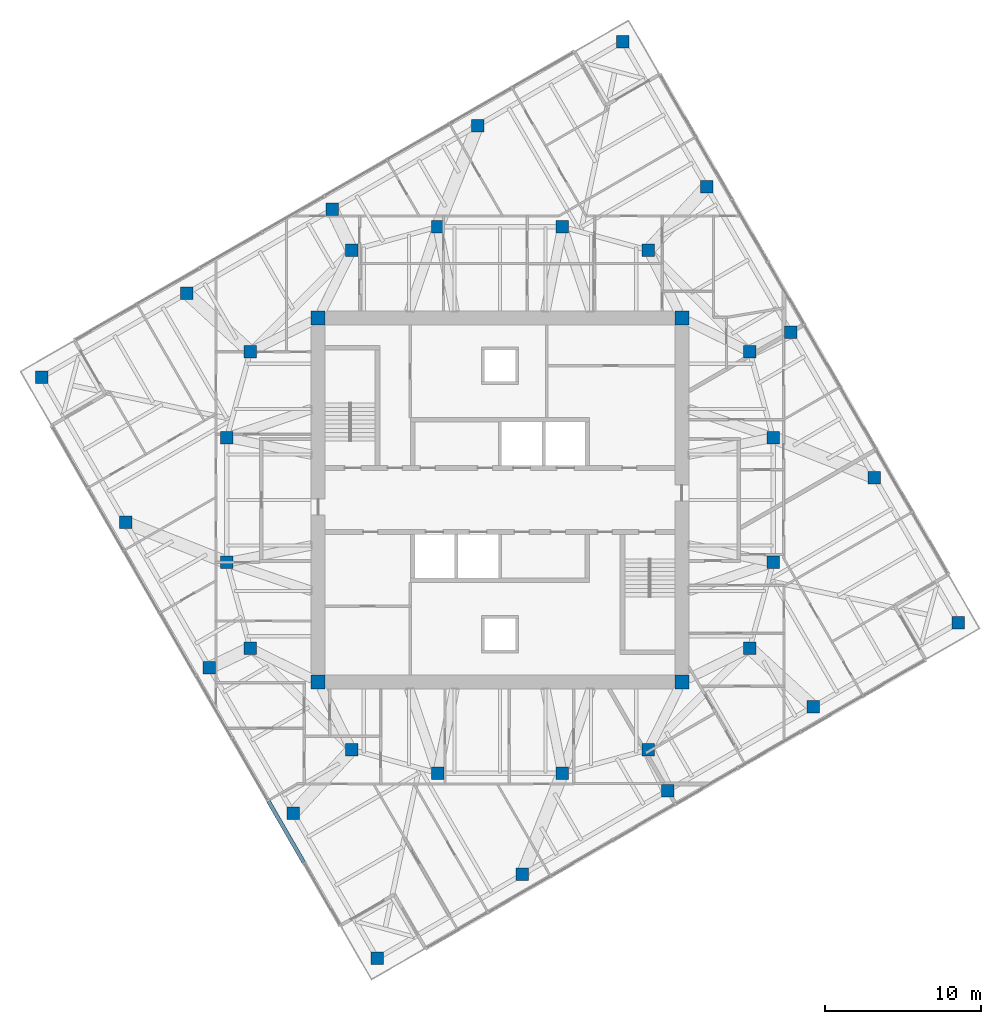
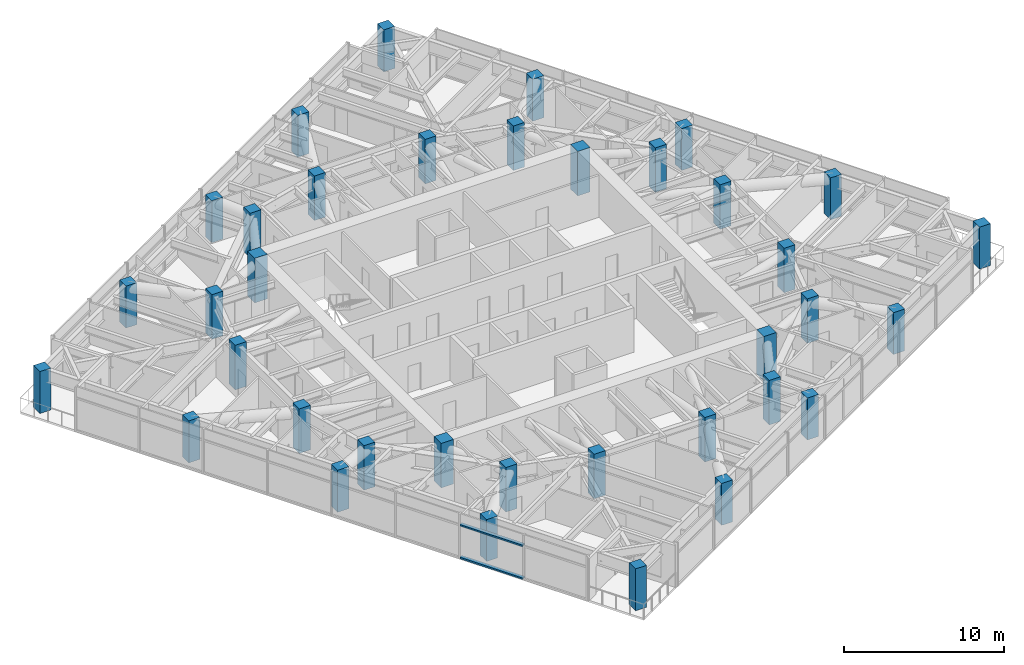
# One storey, part 1 of 16: 36 columns, 2 members, 1 element without a shape of its own.
"""IFC4 building model written with IfcOpenShell, lengths in metres."""

from ifc_helpers import new_model, si_unit, direction, frame, origin, origin_2d, place, context, subcontext, project, spatial, rectangle, extrude, material, material_profile, profile_set, type_object, element, aggregate, save


model = new_model("IFC4")

# Units and contexts
model_context = context("Model", 3, precision=1e-05, world=origin(), true_north=direction((0.0, 1.0)))
body_context = subcontext(model_context, "Body", "Model", "MODEL_VIEW")
ifc_project = project(units=[si_unit("LENGTHUNIT", "METRE"), si_unit("AREAUNIT", "SQUARE_METRE"), si_unit("VOLUMEUNIT", "CUBIC_METRE"), si_unit("PLANEANGLEUNIT", "RADIAN"), si_unit("MASSUNIT", "GRAM", prefix="KILO")], contexts=[model_context])

# Site, building, storey
site_placement = place(None, origin())
site = spatial("IfcSite", under=ifc_project, at=site_placement, CompositionType="ELEMENT")
building_placement = place(site_placement, origin())
building = spatial("IfcBuilding", under=site, at=building_placement, Name="Torsade Residences", CompositionType="ELEMENT")
storey_placement = place(building_placement, frame((0.0, 0.0, 232.0)))
storey = spatial("IfcBuildingStorey", under=building, at=storey_placement, Name="L64", CompositionType="ELEMENT", Elevation=232.0)

# Columns
ifc_material_1 = material(Name="Concrete 80 MPa", Category="concrete")
ifc_material_profile_1 = material_profile(ifc_material_1, rectangle(XDim=0.89990234375, YDim=0.89990234375, at=origin_2d()), Name="RC 900x900")
ifc_profile_set_1 = profile_set([ifc_material_profile_1], Name="Concrete 80 MPa")
column_type_1 = type_object("IfcColumnType", Name="CORE CORNER COLUMN RC 900x900", PredefinedType="COLUMN", material=ifc_profile_set_1)
for number, where, z_axis, x_axis, name in (
    (1, (28.35009765625, 18.35009765625, 0.0), (0.0, 0.0, 1.0), (1.0, 0.0, 0.0), "Core corner column CC1 L64"),
    (2, (51.64990234375, 18.35009765625, 0.0), (0.0, 0.0, 1.0), (1.0, 0.0, 0.0), "Core corner column CC2 L64"),
    (3, (51.64990234375, 41.64990234375, 0.0), (0.0, 0.0, 1.0), (1.0, 0.0, 0.0), "Core corner column CC3 L64"),
    (4, (28.35009765625, 41.64990234375, 0.0), (0.0, 0.0, 1.0), (1.0, 0.0, 0.0), "Core corner column CC4 L64"),
):
    element("IfcColumn", number, at=place(storey_placement, frame(where, z_axis=z_axis, x_axis=x_axis)), inside=storey, type_object=column_type_1, Name=name, PredefinedType="COLUMN", context=body_context, shape_type="SweptSolid", body=[
        extrude(rectangle(XDim=0.89990234375, YDim=0.89990234375, at=origin_2d()), origin(), (0.0, 0.0, 1.0), 3.39990234375),
    ])
ifc_material_2 = material(Name="Concrete 80 MPa", Category="concrete")
ifc_material_profile_2 = material_profile(ifc_material_2, rectangle(XDim=0.800048828125, YDim=0.800048828125, at=origin_2d()), Name="RC 800x800")
ifc_profile_set_2 = profile_set([ifc_material_profile_2], Name="Concrete 80 MPa")
column_type_2 = type_object("IfcColumnType", Name="INNER RING COLUMN RC 800x800", PredefinedType="COLUMN", material=ifc_profile_set_2)
for number, where, z_axis, x_axis, name in (
    (5, (57.5, 26.0, 0.0), (0.0, 0.0, 1.0), (1.0, 0.0, 0.0), "Inner ring column IR01 L64"),
    (6, (57.5, 34.0, 0.0), (0.0, 0.0, 1.0), (1.0, 0.0, 0.0), "Inner ring column IR02 L64"),
    (7, (56.0, 39.5, 0.0), (0.0, 0.0, 1.0), (1.0, 0.0, 0.0), "Inner ring column IR03 L64"),
    (8, (49.5, 46.0, 0.0), (0.0, 0.0, 1.0), (1.0, 0.0, 0.0), "Inner ring column IR04 L64"),
    (9, (44.0, 47.5, 0.0), (0.0, 0.0, 1.0), (1.0, 0.0, 0.0), "Inner ring column IR05 L64"),
    (10, (36.0, 47.5, 0.0), (0.0, 0.0, 1.0), (1.0, 0.0, 0.0), "Inner ring column IR06 L64"),
    (11, (30.5, 46.0, 0.0), (0.0, 0.0, 1.0), (1.0, 0.0, 0.0), "Inner ring column IR07 L64"),
    (12, (24.0, 39.5, 0.0), (0.0, 0.0, 1.0), (1.0, 0.0, 0.0), "Inner ring column IR08 L64"),
    (13, (22.5, 34.0, 0.0), (0.0, 0.0, 1.0), (1.0, 0.0, 0.0), "Inner ring column IR09 L64"),
    (14, (22.5, 26.0, 0.0), (0.0, 0.0, 1.0), (1.0, 0.0, 0.0), "Inner ring column IR10 L64"),
    (15, (24.0, 20.5, 0.0), (0.0, 0.0, 1.0), (1.0, 0.0, 0.0), "Inner ring column IR11 L64"),
    (16, (30.5, 14.0, 0.0), (0.0, 0.0, 1.0), (1.0, 0.0, 0.0), "Inner ring column IR12 L64"),
    (17, (36.0, 12.5, 0.0), (0.0, 0.0, 1.0), (1.0, 0.0, 0.0), "Inner ring column IR13 L64"),
    (18, (44.0, 12.5, 0.0), (0.0, 0.0, 1.0), (1.0, 0.0, 0.0), "Inner ring column IR14 L64"),
    (19, (49.5, 14.0, 0.0), (0.0, 0.0, 1.0), (1.0, 0.0, 0.0), "Inner ring column IR15 L64"),
    (20, (56.0, 20.5, 0.0), (0.0, 0.0, 1.0), (1.0, 0.0, 0.0), "Inner ring column IR16 L64"),
):
    element("IfcColumn", number, at=place(storey_placement, frame(where, z_axis=z_axis, x_axis=x_axis)), inside=storey, type_object=column_type_2, Name=name, PredefinedType="COLUMN", context=body_context, shape_type="SweptSolid", body=[
        extrude(rectangle(XDim=0.800048828125, YDim=0.800048828125, at=origin_2d()), origin(), (0.0, 0.0, 1.0), 3.39990234375),
    ])
ifc_material_3 = material(Name="Concrete 80 MPa", Category="concrete")
ifc_material_profile_3 = material_profile(ifc_material_3, rectangle(XDim=0.800048828125, YDim=0.800048828125, at=origin_2d()), Name="RC 800x800")
ifc_profile_set_3 = profile_set([ifc_material_profile_3], Name="Concrete 80 MPa")
column_type_3 = type_object("IfcColumnType", Name="TOWER COLUMN RC 800x800", PredefinedType="COLUMN", material=ifc_profile_set_3)
for number, where, z_axis, x_axis, name in (
    (21, (32.13037109375, 0.63037109375, 0.0), (0.0, 0.0, 1.0), (1.0, 0.0, 0.0), "Column TC7-01 L64"),
    (22, (41.440185546875, 6.00537109375, 0.0), (0.0, 0.0, 1.0), (1.0, 0.0, 0.0), "Column TC7-02 L64"),
    (23, (50.75, 11.38037109375, 0.0), (0.0, 0.0, 1.0), (1.0, 0.0, 0.0), "Column TC7-03 L64"),
    (24, (60.059814453125, 16.75537109375, 0.0), (0.0, 0.0, 1.0), (1.0, 0.0, 0.0), "Column TC7-04 L64"),
    (25, (69.36962890625, 22.13037109375, 0.0), (0.0, 0.0, 1.0), (1.0, 0.0, 0.0), "Column TC7-05 L64"),
    (26, (63.99462890625, 31.440185546875, 0.0), (0.0, 0.0, 1.0), (1.0, 0.0, 0.0), "Column TC7-06 L64"),
    (27, (58.61962890625, 40.75, 0.0), (0.0, 0.0, 1.0), (1.0, 0.0, 0.0), "Column TC7-07 L64"),
    (28, (53.24462890625, 50.059814453125, 0.0), (0.0, 0.0, 1.0), (1.0, 0.0, 0.0), "Column TC7-08 L64"),
    (29, (47.86962890625, 59.36962890625, 0.0), (0.0, 0.0, 1.0), (1.0, 0.0, 0.0), "Column TC7-09 L64"),
    (30, (38.559814453125, 53.99462890625, 0.0), (0.0, 0.0, 1.0), (1.0, 0.0, 0.0), "Column TC7-10 L64"),
    (31, (29.25, 48.61962890625, 0.0), (0.0, 0.0, 1.0), (1.0, 0.0, 0.0), "Column TC7-11 L64"),
    (32, (19.940185546875, 43.24462890625, 0.0), (0.0, 0.0, 1.0), (1.0, 0.0, 0.0), "Column TC7-12 L64"),
    (33, (10.63037109375, 37.86962890625, 0.0), (0.0, 0.0, 1.0), (1.0, 0.0, 0.0), "Column TC7-13 L64"),
    (34, (16.00537109375, 28.559814453125, 0.0), (0.0, 0.0, 1.0), (1.0, 0.0, 0.0), "Column TC7-14 L64"),
    (35, (21.38037109375, 19.25, 0.0), (0.0, 0.0, 1.0), (1.0, 0.0, 0.0), "Column TC7-15 L64"),
    (36, (26.75537109375, 9.940185546875, 0.0), (0.0, 0.0, 1.0), (1.0, 0.0, 0.0), "Column TC7-16 L64"),
):
    element("IfcColumn", number, at=place(storey_placement, frame(where, z_axis=z_axis, x_axis=x_axis)), inside=storey, type_object=column_type_3, Name=name, PredefinedType="COLUMN", context=body_context, shape_type="SweptSolid", body=[
        extrude(rectangle(XDim=0.800048828125, YDim=0.800048828125, at=origin_2d()), origin(), (0.0, 0.0, 1.0), 3.199951171875),
    ])

# Curtain wall, members
ifc_material_4 = material(Name="Aluminium and glass", Category="aluminium")
curtain_wall_type = type_object("IfcCurtainWallType", Name="FRITTED GLASS CURTAIN WALL HIGH ZONE", PredefinedType="NOTDEFINED", material=ifc_material_4)
curtain_wall_placement = place(storey_placement, origin())
curtain_wall = element("IfcCurtainWall", 37, at=curtain_wall_placement, inside=storey, type_object=curtain_wall_type, Name="Curtain wall L64 face 10", PredefinedType="NOTDEFINED")
ifc_material_5 = material(Name="Aluminium transom", Category="aluminium")
ifc_material_profile_4 = material_profile(ifc_material_5, rectangle(XDim=0.25, YDim=0.1201171875, at=origin_2d()), Name="HIGH ZONE CURTAIN WALL TRANSOM 250x120")
ifc_profile_set_4 = profile_set([ifc_material_profile_4], Name="Aluminium transom")
member_type = type_object("IfcMemberType", Name="HIGH ZONE CURTAIN WALL TRANSOM 250x120", PredefinedType="USERDEFINED", material=ifc_profile_set_4)
member_1_placement = place(storey_placement, frame((25.164306640625, 10.696044921875, 0.06005859375), z_axis=(0.500015112013, -0.866016678684, 0.0), x_axis=(0.866016678684, 0.500015112013, 0.0)))
member_1 = element("IfcMember", 38, at=member_1_placement, type_object=member_type, Name="Transom 7.1", ObjectType="TRANSOM", PredefinedType="USERDEFINED", context=body_context, shape_type="SweptSolid", body=[
    extrude(rectangle(XDim=0.25, YDim=0.1201171875, at=origin_2d()), origin(), (0.0, 0.0, 1.0), 4.525146484375),
])
member_2_placement = place(storey_placement, frame((25.164306640625, 10.696044921875, 2.56005859375), z_axis=(0.500015112013, -0.866016678684, 0.0), x_axis=(0.866016678684, 0.500015112013, 0.0)))
member_2 = element("IfcMember", 39, at=member_2_placement, type_object=member_type, Name="Transom 7.2", ObjectType="TRANSOM", PredefinedType="USERDEFINED", context=body_context, shape_type="SweptSolid", body=[
    extrude(rectangle(XDim=0.25, YDim=0.1201171875, at=origin_2d()), origin(), (0.0, 0.0, 1.0), 4.525146484375),
])
aggregate(curtain_wall, [member_1, member_2])

save(model, "model.ifc")
